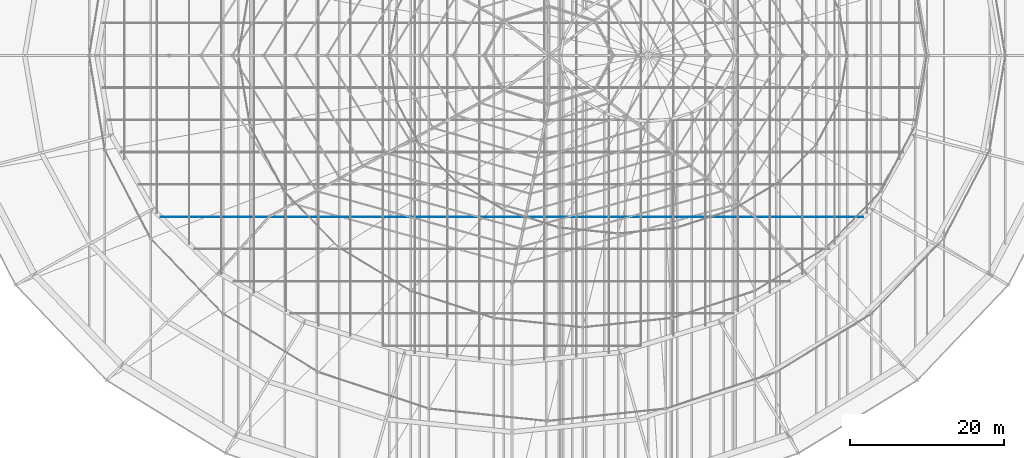
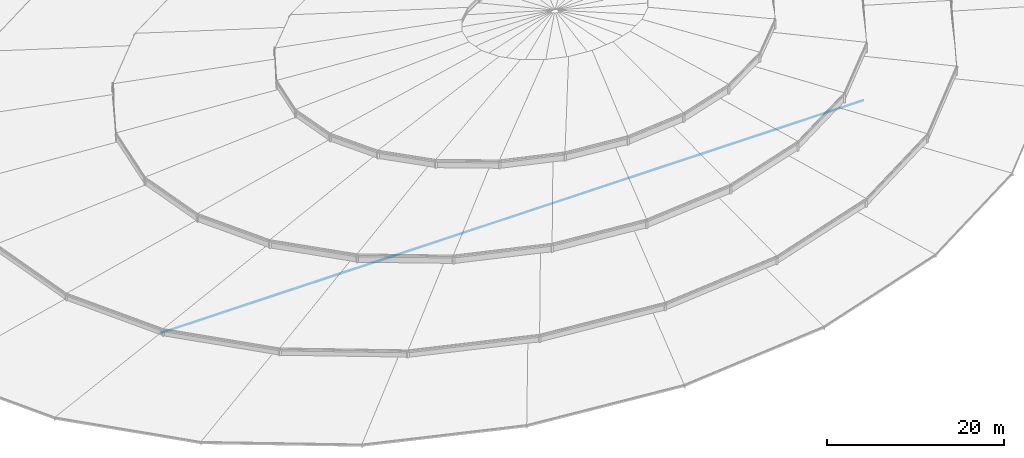
# One storey, part 45 of 184: 1 member.
"""IFC4 building model written with IfcOpenShell, lengths in metres."""

from ifc_helpers import new_model, si_unit, direction, frame, origin, origin_2d, place, context, subcontext, project, spatial, circle, extrude, material, material_profile, profile_set, type_object, element, save


model = new_model("IFC4")

# Units and contexts
model_context = context("Model", 3, precision=1e-05, world=origin(), true_north=direction((0.0, 1.0)))
body_context = subcontext(model_context, "Body", "Model", "MODEL_VIEW")
ifc_project = project(units=[si_unit("LENGTHUNIT", "METRE"), si_unit("AREAUNIT", "SQUARE_METRE"), si_unit("VOLUMEUNIT", "CUBIC_METRE"), si_unit("PLANEANGLEUNIT", "RADIAN"), si_unit("MASSUNIT", "GRAM", prefix="KILO")], contexts=[model_context])

# Site, building, storey
site_placement = place(None, origin())
site = spatial("IfcSite", under=ifc_project, at=site_placement, CompositionType="ELEMENT")
building_placement = place(site_placement, origin())
building = spatial("IfcBuilding", under=site, at=building_placement, Name="Kalgoora Escarpment Arena", CompositionType="ELEMENT")
storey_placement = place(building_placement, frame((0.0, 0.0, 27.60009765625)))
storey = spatial("IfcBuildingStorey", under=building, at=storey_placement, Name="Roof Level", CompositionType="ELEMENT", Elevation=27.60009765625)

# Member
ifc_material = material(Name="High-tensile spiral strand steel Grade 450 (350 MPa)", Category="steel")
ifc_material_profile = material_profile(ifc_material, circle(Radius=0.035888671875, at=origin_2d()))
ifc_profile_set = profile_set([ifc_material_profile], Name="High-tensile spiral strand steel Grade 450 (350 MPa)")
member_type = type_object("IfcMemberType", Name="MEM-CABLE-72", PredefinedType="USERDEFINED", material=ifc_profile_set)
member_placement = place(storey_placement, frame((46.67041015625, 43.0, -1.25), z_axis=(1.0, 0.0, 0.0), x_axis=(0.0, 1.0, 0.0)))
element("IfcMember", 1, at=member_placement, inside=storey, type_object=member_type, Name="Roof saddle hanging cable X-05", ObjectType="CABLE", PredefinedType="USERDEFINED", context=body_context, shape_type="SweptSolid", body=[
    extrude(circle(Radius=0.035888671875, at=origin_2d()), origin(), (0.0, 0.0, 1.0), 91.458984375),
])

save(model, "model.ifc")
